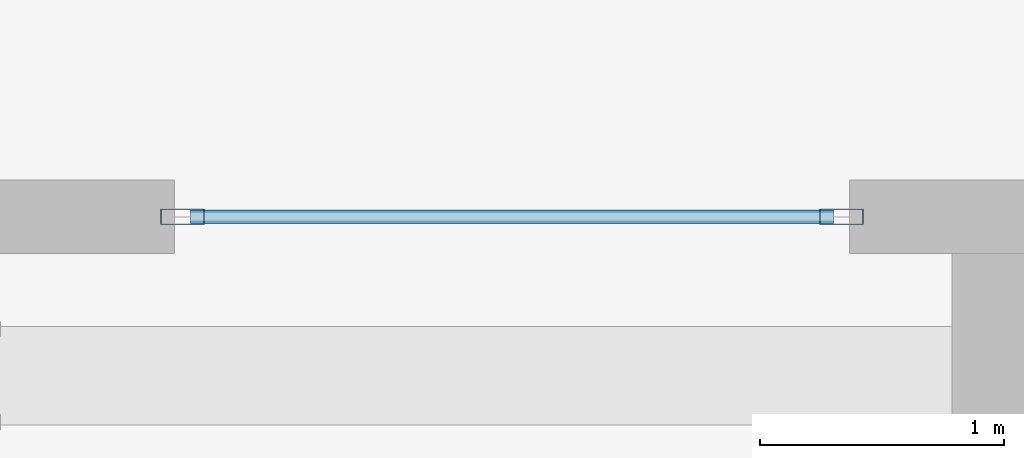
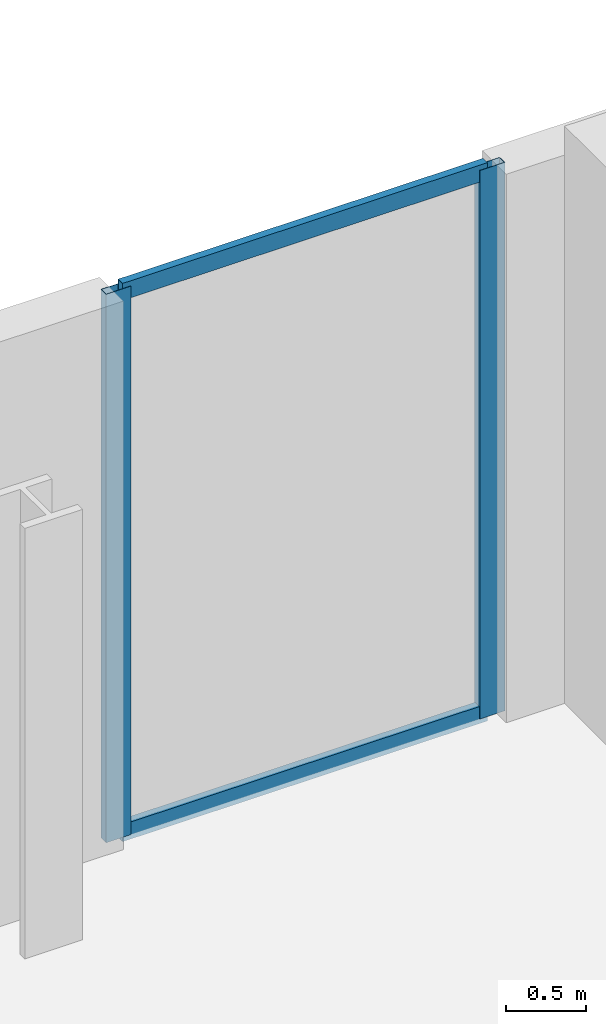
# One storey, part 14 of 24: 4 members, 1 element without a shape of its own.
"""IFC4 building model written with IfcOpenShell, lengths in metres."""

from ifc_helpers import new_model, si_unit, direction, frame, origin, origin_2d, place, context, subcontext, project, spatial, hollow_rectangle, extrude, material, layer, layer_set, material_profile, profile_set, type_object, element, aggregate, save


model = new_model("IFC4")

# Units and contexts
model_context = context("Model", 3, precision=1e-05, world=origin(), true_north=direction((0.0, 1.0)))
body_context = subcontext(model_context, "Body", "Model", "MODEL_VIEW")
ifc_project = project(units=[si_unit("LENGTHUNIT", "METRE"), si_unit("AREAUNIT", "SQUARE_METRE"), si_unit("VOLUMEUNIT", "CUBIC_METRE"), si_unit("PLANEANGLEUNIT", "RADIAN"), si_unit("MASSUNIT", "GRAM", prefix="KILO")], contexts=[model_context])

# Site, building, storey
site_placement = place(None, origin())
site = spatial("IfcSite", under=ifc_project, at=site_placement, CompositionType="ELEMENT")
building_placement = place(site_placement, origin())
building = spatial("IfcBuilding", under=site, at=building_placement, Name="Zuhayl Quay Hotel", CompositionType="ELEMENT")
storey_placement = place(building_placement, frame((0.0, 0.0, 284.050048828125)))
storey = spatial("IfcBuildingStorey", under=building, at=storey_placement, Name="L72", CompositionType="ELEMENT", Elevation=284.050048828125)

# Curtain wall, members
ifc_material_1 = material(Name="Anodised Aluminium 6063-T6", Category="aluminium")
ifc_layer = layer(ifc_material_1, 0.169921875, Name="Anodised Aluminium 6063-T6", Category="aluminium")
ifc_layer_set = layer_set([ifc_layer], Name="Anodised Aluminium 6063-T6")
curtain_wall_type = type_object("IfcCurtainWallType", Name="CW_SYS_Z4", PredefinedType="USERDEFINED", material=ifc_layer_set)
curtain_wall_placement = place(storey_placement, origin())
curtain_wall = element("IfcCurtainWall", 1, at=curtain_wall_placement, inside=storey, type_object=curtain_wall_type, Name="L72 Curtain Wall ENV_L72_N_CW2", ObjectType="UNITISED CURTAIN WALL", PredefinedType="USERDEFINED")
ifc_material_2 = material(Name="Black-anodised aluminium 6063-T6", Category="aluminium")
ifc_material_profile_1 = material_profile(ifc_material_2, hollow_rectangle(XDim=0.06494140625, YDim=0.179931640625, WallThickness=0.00341796875, at=origin_2d()), Name="ALU180X65")
ifc_profile_set_1 = profile_set([ifc_material_profile_1], Name="Black-anodised aluminium 6063-T6")
member_type_1 = type_object("IfcMemberType", Name="MB_CW_MUL_180", PredefinedType="MULLION", material=ifc_profile_set_1)
member_1_placement = place(storey_placement, frame((0.952392578125, 39.0, 0.0), z_axis=(0.0, 0.0, 1.0), x_axis=(0.0, 1.0, 0.0)))
member_1 = element("IfcMember", 2, at=member_1_placement, type_object=member_type_1, Name="CW-Z4 mullion 1", PredefinedType="MULLION", context=body_context, shape_type="SweptSolid", body=[
    extrude(hollow_rectangle(XDim=0.06494140625, YDim=0.179931640625, WallThickness=0.00341796875, at=origin_2d()), origin(), (0.0, 0.0, 1.0), 4.179931640625),
])
member_2_placement = place(storey_placement, frame((3.6474609375, 39.0, 0.0), z_axis=(0.0, 0.0, 1.0), x_axis=(0.0, 1.0, 0.0)))
member_2 = element("IfcMember", 3, at=member_2_placement, type_object=member_type_1, Name="CW-Z4 mullion 2", PredefinedType="MULLION", context=body_context, shape_type="SweptSolid", body=[
    extrude(hollow_rectangle(XDim=0.06494140625, YDim=0.179931640625, WallThickness=0.00341796875, at=origin_2d()), origin(), (0.0, 0.0, 1.0), 4.179931640625),
])
ifc_material_profile_2 = material_profile(ifc_material_2, hollow_rectangle(XDim=0.054931640625, YDim=0.1298828125, WallThickness=0.0029296875, at=origin_2d()), Name="ALU130X55")
ifc_profile_set_2 = profile_set([ifc_material_profile_2], Name="Black-anodised aluminium 6063-T6")
member_type_2 = type_object("IfcMemberType", Name="MB_CW_TRN_130", PredefinedType="USERDEFINED", material=ifc_profile_set_2)
member_3_placement = place(storey_placement, frame((0.985107421875, 39.0, 0.02734375), z_axis=(1.0, 0.0, 0.0), x_axis=(0.0, 1.0, 0.0)))
member_3 = element("IfcMember", 4, at=member_3_placement, type_object=member_type_2, Name="CW-Z4 transom 1.1", ObjectType="TRANSOM", PredefinedType="USERDEFINED", context=body_context, shape_type="SweptSolid", body=[
    extrude(hollow_rectangle(XDim=0.054931640625, YDim=0.1298828125, WallThickness=0.0029296875, at=origin_2d()), origin(), (0.0, 0.0, 1.0), 2.6298828125),
])
member_4_placement = place(storey_placement, frame((0.985107421875, 39.0, 4.15234375), z_axis=(1.0, 0.0, 0.0), x_axis=(0.0, 1.0, 0.0)))
member_4 = element("IfcMember", 5, at=member_4_placement, type_object=member_type_2, Name="CW-Z4 transom 1.2", ObjectType="TRANSOM", PredefinedType="USERDEFINED", context=body_context, shape_type="SweptSolid", body=[
    extrude(hollow_rectangle(XDim=0.054931640625, YDim=0.1298828125, WallThickness=0.0029296875, at=origin_2d()), origin(), (0.0, 0.0, 1.0), 2.6298828125),
])
aggregate(curtain_wall, [member_1, member_2, member_3, member_4])

save(model, "model.ifc")
